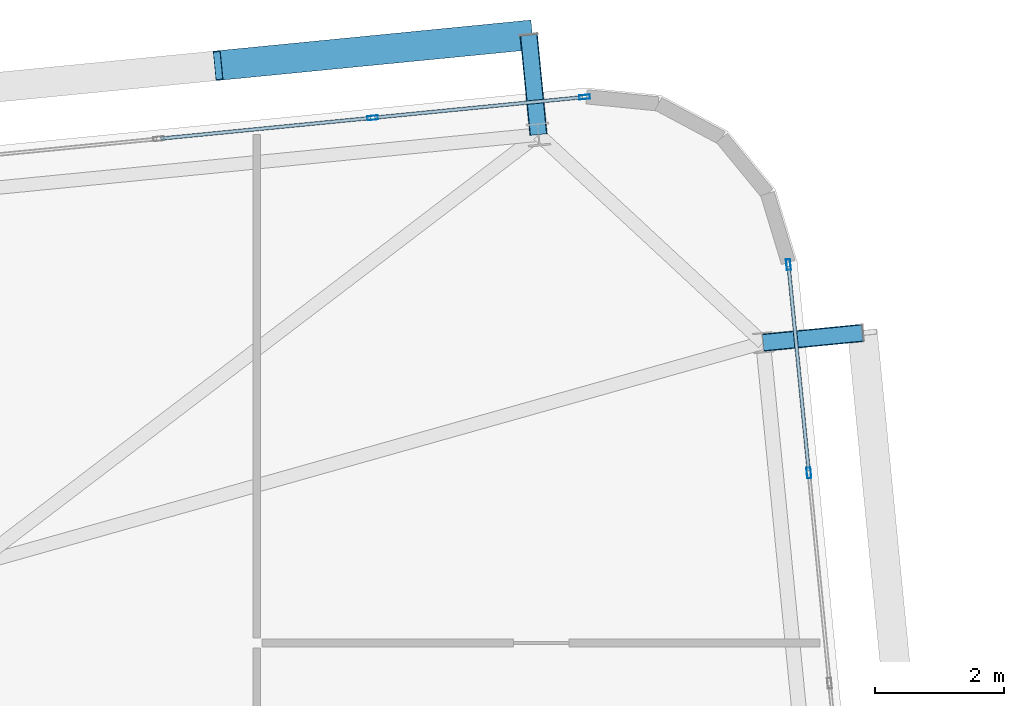
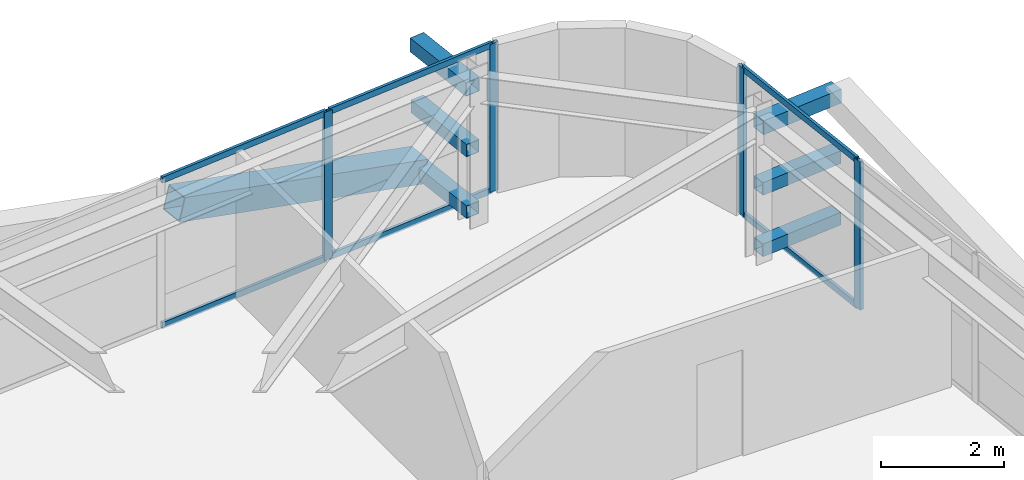
# One storey, part 35 of 52: 17 members, 2 elements without a shape of their own.
"""IFC4 building model written with IfcOpenShell, lengths in metres."""

from ifc_helpers import new_model, si_unit, direction, frame, origin, origin_2d, place, context, subcontext, project, spatial, hollow_rectangle, extrude, source, transform, mapped, material, layer, layer_set, material_profile, profile_set, type_object, element, aggregate, save


model = new_model("IFC4")

# Units and contexts
model_context = context("Model", 3, precision=1e-05, world=origin(), true_north=direction((0.0, 1.0)))
body_context = subcontext(model_context, "Body", "Model", "MODEL_VIEW")
ifc_project = project(units=[si_unit("LENGTHUNIT", "METRE"), si_unit("AREAUNIT", "SQUARE_METRE"), si_unit("VOLUMEUNIT", "CUBIC_METRE"), si_unit("PLANEANGLEUNIT", "RADIAN"), si_unit("MASSUNIT", "GRAM", prefix="KILO")], contexts=[model_context])

# Site, building, storey
site_placement = place(None, origin())
site = spatial("IfcSite", under=ifc_project, at=site_placement, CompositionType="ELEMENT")
building_placement = place(site_placement, origin())
building = spatial("IfcBuilding", under=site, at=building_placement, Name="Taldren Reach Tower", CompositionType="ELEMENT")
storey_placement = place(building_placement, frame((0.0, 0.0, 77.699951171875)))
storey = spatial("IfcBuildingStorey", under=building, at=storey_placement, Name="L23", CompositionType="ELEMENT", Elevation=77.699951171875)

# Members
ifc_material_1 = material(Name="Steel Gr 450 (C450L0)", Category="steel")
ifc_material_profile_1 = material_profile(ifc_material_1, hollow_rectangle(XDim=0.27490234375, YDim=0.27490234375, WallThickness=0.00927734375, at=origin_2d()), Name="275x275x9.3SHS")
ifc_profile_set_1 = profile_set([ifc_material_profile_1], Name="Steel Gr 450 (C450L0)")
member_type_1 = type_object("IfcMemberType", Name="MB-TIE273", PredefinedType="STRUT", material=ifc_profile_set_1)
shared_shape_1 = source(origin(), body_context, "Body", "SweptSolid", [
    extrude(hollow_rectangle(XDim=0.27490234375, YDim=0.27490234375, WallThickness=0.00927734375, at=origin_2d()), origin(), (0.0, 0.0, 1.0), 1.5498046875),
])
for number, where, z_axis, x_axis, name in (
    (1, (59.765869140625, 38.679931640625, 2.650146484375), (-0.097663201064, 0.995219523099, 0.0), (-0.995219523099, -0.097663201064, 0.0), "Exoskeleton diaphragm tie strut B2-N6 L23"),
    (2, (63.247314453125, 35.454345703125, 2.650146484375), (0.995234821595, 0.097507178627, 0.0), (-0.097507178627, 0.995234821595, 0.0), "Exoskeleton diaphragm tie strut B2-E3 L23"),
):
    element("IfcMember", number, at=place(storey_placement, frame(where, z_axis=z_axis, x_axis=x_axis)), inside=storey, type_object=member_type_1, Name=name, PredefinedType="STRUT", context=body_context, shape_type="MappedRepresentation", body=[
        mapped(shared_shape_1, transform((0.0, 0.0, 0.0), scale=1.0)),
    ])
ifc_material_2 = material(Name="Steel Gr 350 (C350L0)", Category="steel")
ifc_material_profile_2 = material_profile(ifc_material_2, hollow_rectangle(XDim=0.25, YDim=0.25, WallThickness=0.010009765625, at=origin_2d()), Name="250x250x10.0SHS")
ifc_profile_set_2 = profile_set([ifc_material_profile_2], Name="Steel Gr 350 (C350L0)")
member_type_2 = type_object("IfcMemberType", Name="MB-POST250", PredefinedType="POST", material=ifc_profile_set_2)
shared_shape_2 = source(origin(), body_context, "Body", "SweptSolid", [
    extrude(hollow_rectangle(XDim=0.25, YDim=0.25, WallThickness=0.010009765625, at=origin_2d()), origin(), (0.0, 0.0, 1.0), 1.5498046875),
])
for number, where, z_axis, x_axis, name in (
    (3, (59.765869140625, 38.679931640625, 0.219970703125), (-0.097663201064, 0.995219523099, 0.0), (-0.995219523099, -0.097663201064, 0.0), "Exoskeleton base diaphragm tie strut B2-N6 L23"),
    (4, (63.247314453125, 35.454345703125, 0.219970703125), (0.995234821595, 0.097507178627, 0.0), (-0.097507178627, 0.995234821595, 0.0), "Exoskeleton base diaphragm tie strut B2-E3 L23"),
    (5, (59.765869140625, 38.679931640625, 1.43505859375), (-0.097663201064, 0.995219523099, 0.0), (-0.995219523099, -0.097663201064, 0.0), "Exoskeleton mid-tier diaphragm tie B2-N6 L23"),
    (6, (63.247314453125, 35.454345703125, 1.43505859375), (0.995234821595, 0.097507178627, 0.0), (-0.097507178627, 0.995234821595, 0.0), "Exoskeleton mid-tier diaphragm tie B2-E3 L23"),
):
    element("IfcMember", number, at=place(storey_placement, frame(where, z_axis=z_axis, x_axis=x_axis)), inside=storey, type_object=member_type_2, Name=name, PredefinedType="POST", context=body_context, shape_type="MappedRepresentation", body=[
        mapped(shared_shape_2, transform((0.0, 0.0, 0.0), scale=1.0)),
    ])
ifc_material_profile_3 = material_profile(ifc_material_1, hollow_rectangle(XDim=0.4599609375, YDim=0.4599609375, WallThickness=0.01611328125, at=origin_2d()), Name="460x460x16.0SHS")
ifc_profile_set_3 = profile_set([ifc_material_profile_3], Name="Steel Gr 450 (C450L0)")
member_type_3 = type_object("IfcMemberType", Name="MB-EXO457", PredefinedType="BRACE", material=ifc_profile_set_3)
shared_shape_3 = source(origin(), body_context, "Body", "SweptSolid", [
    extrude(hollow_rectangle(XDim=0.4599609375, YDim=0.4599609375, WallThickness=0.01611328125, at=origin_2d()), origin(), (0.0, 0.0, 1.0), 4.990234375),
])
member_1_placement = place(storey_placement, frame((59.614501953125, 40.222412109375, 0.219970703125), z_axis=(-0.965275526283, -0.094619506732, 0.243496010862), x_axis=(0.097555749586, -0.995230061706, 0.0)))
element("IfcMember", 7, at=member_1_placement, inside=storey, type_object=member_type_3, Name="Exoskeleton Diagrid Brace B2-N5 L23", PredefinedType="BRACE", context=body_context, shape_type="MappedRepresentation", body=[
    mapped(shared_shape_3, transform((0.0, 0.0, 0.0), scale=1.0)),
])

# Curtain wall, members
ifc_material_3 = material(Name="Aluminium and Low-E Glass Unitised System", Category="aluminium")
ifc_layer = layer(ifc_material_3, 0.159912109375)
ifc_layer_set = layer_set([ifc_layer], Name="Aluminium and Low-E Glass Unitised System")
curtain_wall_type = type_object("IfcCurtainWallType", Name="CW-SYS-3", PredefinedType="NOTDEFINED", material=ifc_layer_set)
curtain_wall_1_placement = place(storey_placement, origin())
curtain_wall_1 = element("IfcCurtainWall", 8, at=curtain_wall_1_placement, inside=storey, type_object=curtain_wall_type, Name="Unitised curtain wall CW-L23-N", PredefinedType="NOTDEFINED")
ifc_material_4 = material(Name="Anodised Aluminium 6063-T6", Category="aluminium")
ifc_material_profile_4 = material_profile(ifc_material_4, hollow_rectangle(XDim=0.06494140625, YDim=0.1650390625, WallThickness=0.00390625, at=origin_2d()), Name="ALU-165x65x4RHS")
ifc_profile_set_4 = profile_set([ifc_material_profile_4], Name="Anodised Aluminium 6063-T6")
member_type_4 = type_object("IfcMemberType", Name="CW-MUL-165", PredefinedType="MULLION", material=ifc_profile_set_4)
shared_shape_4 = source(origin(), body_context, "Body", "SweptSolid", [
    extrude(hollow_rectangle(XDim=0.06494140625, YDim=0.1650390625, WallThickness=0.00390625, at=origin_2d()), origin(), (0.0, 0.0, 1.0), 2.929931640625),
])
member_2_placement = place(storey_placement, frame((60.47998046875, 39.262451171875, 0.0), z_axis=(0.0, 0.0, 1.0), x_axis=(0.097582999046, -0.995227390247, 0.0)))
member_2 = element("IfcMember", 9, at=member_2_placement, type_object=member_type_4, Name="CW-3 mullion 1", PredefinedType="MULLION", context=body_context, shape_type="MappedRepresentation", body=[
    mapped(shared_shape_4, transform((0.0, 0.0, 0.0), scale=1.0)),
])
member_3_placement = place(storey_placement, frame((57.19482421875, 38.940185546875, 0.0), z_axis=(0.0, 0.0, 1.0), x_axis=(0.097582999046, -0.995227390247, 0.0)))
member_3 = element("IfcMember", 10, at=member_3_placement, type_object=member_type_4, Name="CW-3 mullion 2", PredefinedType="MULLION", context=body_context, shape_type="MappedRepresentation", body=[
    mapped(shared_shape_4, transform((0.0, 0.0, 0.0), scale=1.0)),
])

curtain_wall_2_placement = place(storey_placement, origin())
curtain_wall_2 = element("IfcCurtainWall", 11, at=curtain_wall_2_placement, inside=storey, type_object=curtain_wall_type, Name="Unitised curtain wall CW-L23-E", PredefinedType="NOTDEFINED")
member_4_placement = place(storey_placement, frame((63.95751953125, 33.43603515625, 0.0), z_axis=(0.0, 0.0, 1.0), x_axis=(-0.99522741555, -0.09758274098, 0.0)))
member_4 = element("IfcMember", 12, at=member_4_placement, type_object=member_type_4, Name="CW-3 mullion 9", PredefinedType="MULLION", context=body_context, shape_type="MappedRepresentation", body=[
    mapped(shared_shape_4, transform((0.0, 0.0, 0.0), scale=1.0)),
])
member_5_placement = place(storey_placement, frame((63.640869140625, 36.666015625, 0.0), z_axis=(0.0, 0.0, 1.0), x_axis=(-0.99522741555, -0.09758274098, 0.0)))
member_5 = element("IfcMember", 13, at=member_5_placement, type_object=member_type_4, Name="CW-3 mullion 10", PredefinedType="MULLION", context=body_context, shape_type="MappedRepresentation", body=[
    mapped(shared_shape_4, transform((0.0, 0.0, 0.0), scale=1.0)),
])

# Member
ifc_material_profile_5 = material_profile(ifc_material_4, hollow_rectangle(XDim=0.054931640625, YDim=0.1201171875, WallThickness=0.0029296875, at=origin_2d()), Name="ALU-120x55x3RHS")
ifc_profile_set_5 = profile_set([ifc_material_profile_5], Name="Anodised Aluminium 6063-T6")
member_type_5 = type_object("IfcMemberType", Name="CW-TRN-135", PredefinedType="USERDEFINED", material=ifc_profile_set_5)
shared_shape_5 = source(origin(), body_context, "Body", "SweptSolid", [
    extrude(hollow_rectangle(XDim=0.054931640625, YDim=0.1201171875, WallThickness=0.0029296875, at=origin_2d()), origin(), (0.0, 0.0, 1.0), 3.23583984375),
])
member_6_placement = place(storey_placement, frame((60.447509765625, 39.25927734375, 0.027587890625), z_axis=(-0.995222920971, -0.097628569459, 0.0), x_axis=(0.097628569459, -0.995222920971, 0.0)))
member_6 = element("IfcMember", 14, at=member_6_placement, type_object=member_type_5, Name="CW-3 transom 1.1", ObjectType="TRANSOM", PredefinedType="USERDEFINED", context=body_context, shape_type="MappedRepresentation", body=[
    mapped(shared_shape_5, transform((0.0, 0.0, 0.0), scale=1.0)),
])

member_7_placement = place(storey_placement, frame((60.447509765625, 39.25927734375, 2.902587890625), z_axis=(-0.995222920971, -0.097628569459, 0.0), x_axis=(0.097628569459, -0.995222920971, 0.0)))
member_7 = element("IfcMember", 15, at=member_7_placement, type_object=member_type_5, Name="CW-3 transom 1.2", ObjectType="TRANSOM", PredefinedType="USERDEFINED", context=body_context, shape_type="MappedRepresentation", body=[
    mapped(shared_shape_5, transform((0.0, 0.0, 0.0), scale=1.0)),
])

shared_shape_6 = source(origin(), body_context, "Body", "SweptSolid", [
    extrude(hollow_rectangle(XDim=0.054931640625, YDim=0.1201171875, WallThickness=0.0029296875, at=origin_2d()), origin(), (0.0, 0.0, 1.0), 3.2685546875),
])
member_8_placement = place(storey_placement, frame((57.16259765625, 38.93701171875, 0.027587890625), z_axis=(-0.99523051601, -0.097551114824, 0.0), x_axis=(0.097551114824, -0.99523051601, 0.0)))
member_8 = element("IfcMember", 16, at=member_8_placement, type_object=member_type_5, Name="CW-3 transom 2.1", ObjectType="TRANSOM", PredefinedType="USERDEFINED", context=body_context, shape_type="MappedRepresentation", body=[
    mapped(shared_shape_6, transform((0.0, 0.0, 0.0), scale=1.0)),
])

member_9_placement = place(storey_placement, frame((57.16259765625, 38.93701171875, 2.902587890625), z_axis=(-0.99523051601, -0.097551114824, 0.0), x_axis=(0.097551114824, -0.99523051601, 0.0)))
member_9 = element("IfcMember", 17, at=member_9_placement, type_object=member_type_5, Name="CW-3 transom 2.2", ObjectType="TRANSOM", PredefinedType="USERDEFINED", context=body_context, shape_type="MappedRepresentation", body=[
    mapped(shared_shape_6, transform((0.0, 0.0, 0.0), scale=1.0)),
])

aggregate(curtain_wall_1, [member_2, member_3, member_6, member_7, member_8, member_9])

shared_shape_7 = source(origin(), body_context, "Body", "SweptSolid", [
    extrude(hollow_rectangle(XDim=0.054931640625, YDim=0.1201171875, WallThickness=0.0029296875, at=origin_2d()), origin(), (0.0, 0.0, 1.0), 3.18017578125),
])
member_10_placement = place(storey_placement, frame((63.954345703125, 33.468505859375, 0.027587890625), z_axis=(-0.097572914968, 0.995228378949, 0.0), x_axis=(-0.995228378949, -0.097572914968, 0.0)))
member_10 = element("IfcMember", 18, at=member_10_placement, type_object=member_type_5, Name="CW-3 transom 9.1", ObjectType="TRANSOM", PredefinedType="USERDEFINED", context=body_context, shape_type="MappedRepresentation", body=[
    mapped(shared_shape_7, transform((0.0, 0.0, 0.0), scale=1.0)),
])

member_11_placement = place(storey_placement, frame((63.954345703125, 33.468505859375, 2.902587890625), z_axis=(-0.097572914968, 0.995228378949, 0.0), x_axis=(-0.995228378949, -0.097572914968, 0.0)))
member_11 = element("IfcMember", 19, at=member_11_placement, type_object=member_type_5, Name="CW-3 transom 9.2", ObjectType="TRANSOM", PredefinedType="USERDEFINED", context=body_context, shape_type="MappedRepresentation", body=[
    mapped(shared_shape_7, transform((0.0, 0.0, 0.0), scale=1.0)),
])

aggregate(curtain_wall_2, [member_4, member_5, member_10, member_11])

save(model, "model.ifc")
